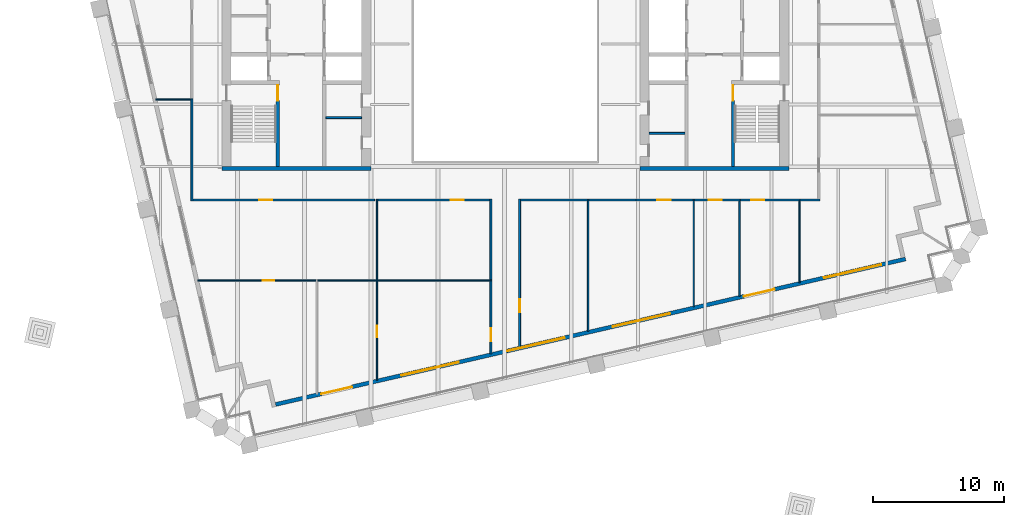
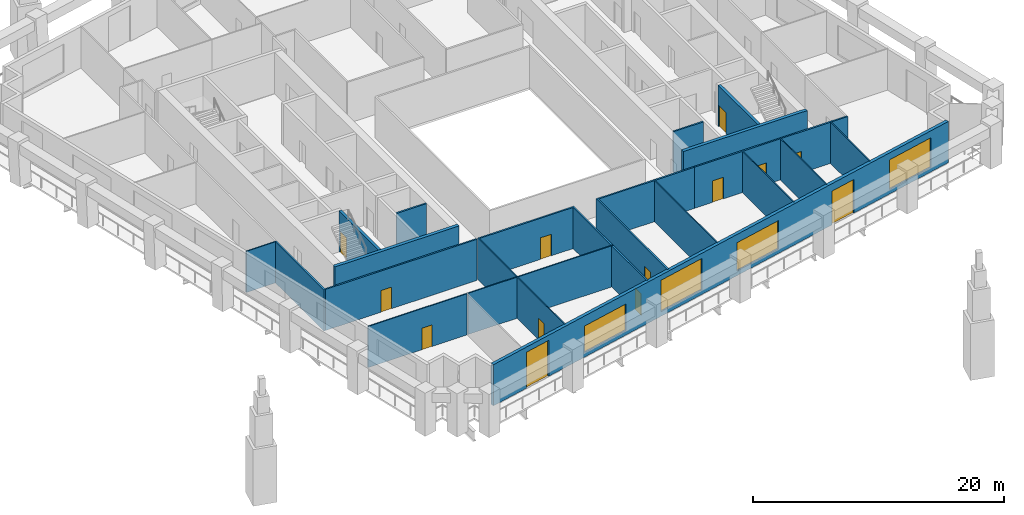
# One storey, part 4 of 10: 29 walls, 13 doors, 4 windows, 17 openings.
"""IFC4 building model written with IfcOpenShell, lengths in metres."""

import ifcopenshell
import ifcopenshell.guid

model = None  # the IFC model being written
_history = None  # IfcOwnerHistory: only IFC2X3 demands one
_inside = {}  # id of a spatial element -> (the spatial element, [elements in it])
_under = {}  # id of a project, library or spatial element -> (it, [spatial elements below it])
_declared = {}  # id of a project -> (the project, [libraries it declares])
_typed = {}  # id of a type object -> (the type object, [elements of that type])
_made_of = {}  # id of a material, layer set ... -> (it, [elements and type objects made of it])


def new_model(schema):
    """Start an empty IFC model of exactly this schema.

    Asked for "IFC4X3", IfcOpenShell would pick the latest addendum, in which some entities
    have other attributes; the version numbers below select the first issue.
    IFC2X3 requires an IfcOwnerHistory on every rooted entity: one is made here for all.
    """
    global model, _history
    if schema == "IFC4X3":
        model = ifcopenshell.file(schema_version=(4, 3, 0, 0))
    else:
        model = ifcopenshell.file(schema=schema)
    _inside.clear()
    _under.clear()
    _declared.clear()
    _typed.clear()
    _made_of.clear()
    _history = None
    if model.schema == "IFC2X3":
        org = make("IfcOrganization", Name="unknown")
        user = make(
            "IfcPersonAndOrganization",
            ThePerson=make("IfcPerson", FamilyName="unknown"),
            TheOrganization=org,
        )
        app = make(
            "IfcApplication",
            ApplicationDeveloper=org,
            Version="unknown",
            ApplicationFullName="unknown",
            ApplicationIdentifier="unknown",
        )
        _history = make(
            "IfcOwnerHistory",
            OwningUser=user,
            OwningApplication=app,
            ChangeAction="ADDED",
            CreationDate=0,
        )
    return model


def make(cls, **values):
    """One entity of the class cls with the attributes given. An attribute that is None is left unset."""
    return model.create_entity(
        cls, **{name: value for name, value in values.items() if value is not None}
    )


def rooted(cls, **values):
    """An entity with a GlobalId (a new one), such as an element, a storey or a relation."""
    return make(cls, GlobalId=ifcopenshell.guid.new(), OwnerHistory=_history, **values)


def si_unit(unit_type, name, prefix=None):
    """IfcSIUnit, for example si_unit("LENGTHUNIT", "METRE", prefix="MILLI")."""
    return make("IfcSIUnit", UnitType=unit_type, Prefix=prefix, Name=name)


def assignment(units):
    """IfcUnitAssignment: the units of a project."""
    return None if units is None else make("IfcUnitAssignment", Units=units)


def point(xyz):
    """IfcCartesianPoint."""
    return None if xyz is None else make("IfcCartesianPoint", Coordinates=xyz)


def direction(xyz):
    """IfcDirection."""
    return None if xyz is None else make("IfcDirection", DirectionRatios=xyz)


def frame(location, z_axis=None, x_axis=None):
    """IfcAxis2Placement3D, a coordinate frame: its origin and axes. An axis left out is left unset."""
    return make(
        "IfcAxis2Placement3D",
        Location=point(location),
        Axis=direction(z_axis),
        RefDirection=direction(x_axis),
    )


def frame_2d(location, x_axis=None):
    """IfcAxis2Placement2D, a coordinate frame in the plane: its origin and x axis."""
    return make(
        "IfcAxis2Placement2D", Location=point(location), RefDirection=direction(x_axis)
    )


def origin():
    """The frame at (0, 0, 0) with its axes left unset."""
    return frame((0.0, 0.0, 0.0))


def place(relative_to, where):
    """IfcLocalPlacement: puts the frame where relative to a parent placement (None: the world)."""
    return make(
        "IfcLocalPlacement", PlacementRelTo=relative_to, RelativePlacement=where
    )


def context(
    kind, dimensions, precision=None, world=None, true_north=None, identifier=None
):
    """IfcGeometricRepresentationContext, for example the 3D "Model" context."""
    return make(
        "IfcGeometricRepresentationContext",
        ContextIdentifier=identifier,
        ContextType=kind,
        CoordinateSpaceDimension=dimensions,
        Precision=precision,
        WorldCoordinateSystem=world,
        TrueNorth=true_north,
    )


def subcontext(parent, identifier, kind, view, scale=None):
    """IfcGeometricRepresentationSubContext, for example "Body" below "Model"."""
    return make(
        "IfcGeometricRepresentationSubContext",
        ContextIdentifier=identifier,
        ContextType=kind,
        ParentContext=parent,
        TargetScale=scale,
        TargetView=view,
    )


def project(units=None, contexts=None):
    """IfcProject with its units and contexts."""
    return rooted(
        "IfcProject",
        Name="project",
        RepresentationContexts=contexts,
        UnitsInContext=assignment(units),
    )


def spatial(cls, under=None, at=None, **own):
    """A site, building, storey or space (cls), placed at a placement, below another one or the project."""
    s = rooted(cls, ObjectPlacement=at, **own)
    if under is not None:
        _under.setdefault(under.id(), (under, []))[1].append(s)
    return s


def profile(cls, at=None, kind="AREA", **sizes):
    """A parametric profile (cls). Its sizes go by their IFC names, for example OverallWidth=200.0."""
    return make(cls, ProfileType=kind, Position=at, **sizes)


def rectangle(**sizes):
    """IfcRectangleProfileDef."""
    return profile("IfcRectangleProfileDef", **sizes)


def extrude(swept, where, along, depth):
    """IfcExtrudedAreaSolid: the profile swept, set in the frame where, extruded along a direction by depth."""
    return make(
        "IfcExtrudedAreaSolid",
        SweptArea=swept,
        Position=where,
        ExtrudedDirection=direction(along),
        Depth=depth,
    )


def shape(context_of_items, identifier, shape_type, items):
    """IfcShapeRepresentation: the items that make up one representation, for example the "Body"."""
    return make(
        "IfcShapeRepresentation",
        ContextOfItems=context_of_items,
        RepresentationIdentifier=identifier,
        RepresentationType=shape_type,
        Items=items,
    )


def material(Name=None, Category=None):
    """IfcMaterial."""
    return make("IfcMaterial", Name=Name, Category=Category)


def layer(
    of_material, thickness, ventilated=None, Name=None, Category=None, Priority=None
):
    """IfcMaterialLayer: one layer of a wall or slab, of a material (None: an air gap)."""
    return make(
        "IfcMaterialLayer",
        Material=of_material,
        LayerThickness=thickness,
        IsVentilated=ventilated,
        Name=Name,
        Category=Category,
        Priority=Priority,
    )


def layer_set(layers, Name=None):
    """IfcMaterialLayerSet."""
    return make("IfcMaterialLayerSet", MaterialLayers=layers, LayerSetName=Name)


def made_of(thing, what):
    """Note that an element or type object is made of a material, layer set ...; save() writes the relation."""
    if what is not None:
        _made_of.setdefault(what.id(), (what, []))[1].append(thing)
    return thing


def type_object(cls, material=None, **own):
    """A type object (cls), such as IfcWallType, which elements share."""
    return made_of(rooted(cls, **own), material)


def element(
    cls,
    number,
    at=None,
    inside=None,
    cuts=None,
    type_object=None,
    material=None,
    context=None,
    identifier="Body",
    shape_type=None,
    held_by="IfcProductDefinitionShape",
    body=None,
    shapes=None,
    **own,
):
    """One element of the class cls, such as IfcWall. Its Tag is "e" and its number.

    at: its placement. inside: the storey or other place that contains it. cuts: it is an
    opening in that element (IfcRelVoidsElement). A single representation is given by context,
    identifier, shape_type and body (its items); several are given by shapes. held_by: the class
    of the entity that holds the representations. save() writes the other relations.
    """
    e = rooted(cls, Tag="e%d" % number, ObjectPlacement=at, **own)
    if body is not None:
        shapes = [shape(context, identifier, shape_type, body)]
    if shapes is not None:
        e.Representation = make(held_by, Representations=shapes)
    if inside is not None:
        _inside.setdefault(inside.id(), (inside, []))[1].append(e)
    if cuts is not None:
        rooted(
            "IfcRelVoidsElement", RelatingBuildingElement=cuts, RelatedOpeningElement=e
        )
    if type_object is not None:
        _typed.setdefault(type_object.id(), (type_object, []))[1].append(e)
    return made_of(e, material)


def fill(opening, filler):
    """IfcRelFillsElement: the door or window that sits in an opening."""
    return rooted(
        "IfcRelFillsElement",
        RelatingOpeningElement=opening,
        RelatedBuildingElement=filler,
    )


def aggregate(whole, parts):
    """IfcRelAggregates: a whole, such as a stair, and the parts it consists of."""
    return rooted("IfcRelAggregates", RelatingObject=whole, RelatedObjects=parts)


def save(model, path):
    """Write the relations noted so far, then the file.

    IfcRelAggregates (storeys below a building ...), IfcRelContainedInSpatialStructure (elements
    in a storey), IfcRelDefinesByType, IfcRelAssociatesMaterial and IfcRelDeclares: one each for
    every whole, place, type object, material and project.
    """
    for whole, parts in _under.values():
        aggregate(whole, parts)
    for where, things in _inside.values():
        rooted(
            "IfcRelContainedInSpatialStructure",
            RelatedElements=things,
            RelatingStructure=where,
        )
    for kind, things in _typed.values():
        rooted("IfcRelDefinesByType", RelatedObjects=things, RelatingType=kind)
    for what, things in _made_of.values():
        rooted("IfcRelAssociatesMaterial", RelatedObjects=things, RelatingMaterial=what)
    for by, libraries in _declared.values():
        rooted("IfcRelDeclares", RelatingContext=by, RelatedDefinitions=libraries)
    model.write(path)


model = new_model("IFC4")

# Units and contexts
model_context = context("Model", 3, precision=1e-05, world=origin(), true_north=direction((0.0, 1.0)))
body_context = subcontext(model_context, "Body", "Model", "MODEL_VIEW")
ifc_project = project(units=[si_unit("LENGTHUNIT", "METRE"), si_unit("AREAUNIT", "SQUARE_METRE"), si_unit("VOLUMEUNIT", "CUBIC_METRE"), si_unit("PLANEANGLEUNIT", "RADIAN"), si_unit("MASSUNIT", "GRAM", prefix="KILO")], contexts=[model_context])

# Site, building, storey
site_placement = place(None, origin())
site = spatial("IfcSite", under=ifc_project, at=site_placement, CompositionType="ELEMENT")
building_placement = place(site_placement, origin())
building = spatial("IfcBuilding", under=site, at=building_placement, Name="Ogive Exchange Tower", CompositionType="ELEMENT")
storey_placement = place(building_placement, frame((0.0, 0.0, 171.60009765625)))
storey = spatial("IfcBuildingStorey", under=building, at=storey_placement, Name="L37", CompositionType="ELEMENT", Elevation=171.60009765625)

# Walls
ifc_material_1 = material(Name="Gypsum board partition")
ifc_layer_1 = layer(ifc_material_1, 0.14990234375)
ifc_layer_set_1 = layer_set([ifc_layer_1], Name="Core room partition 150 gypsum")
wall_type_1 = type_object("IfcWallType", Name="Core room partition 150 gypsum", PredefinedType="PARTITIONING", material=ifc_layer_set_1)
for number, where, z_axis, x_axis, name in (
    (1, (-13.75, 1.300048828125, 0.0), (0.0, 0.0, 1.0), (1.0, 0.0, 0.0), "W south room partition"),
    (2, (11.0, 0.10009765625, 0.0), (0.0, 0.0, 1.0), (1.0, 0.0, 0.0), "E south room partition"),
):
    element("IfcWall", number, at=place(storey_placement, frame(where, z_axis=z_axis, x_axis=x_axis)), inside=storey, type_object=wall_type_1, Name=name, PredefinedType="PARTITIONING", context=body_context, shape_type="SweptSolid", body=[
        extrude(rectangle(XDim=2.75, YDim=0.14990234375, at=frame_2d((1.375, 0.0))), origin(), (0.0, 0.0, 1.0), 4.0),
    ])
ifc_material_2 = material(Name="Fire partition EI 60 150")
ifc_layer_2 = layer(ifc_material_2, 0.14990234375)
ifc_layer_set_2 = layer_set([ifc_layer_2], Name="Fire partition EI 60 150")
wall_type_2 = type_object("IfcWallType", Name="Fire partition EI 60 150", PredefinedType="PARTITIONING", material=ifc_layer_set_2)
wall_1_placement = place(storey_placement, frame((-24.0, -5.074951171875, 0.0), z_axis=(0.0, 0.0, 1.0), x_axis=(0.0, 1.0, 0.0)))
element("IfcWall", 3, at=wall_1_placement, inside=storey, type_object=wall_type_2, Name="L37-PWL-001", PredefinedType="PARTITIONING", context=body_context, shape_type="SweptSolid", body=[
    extrude(rectangle(XDim=7.81494140625, YDim=0.14990234375, at=frame_2d((3.907470703125, 0.0))), origin(), (0.0, 0.0, 1.0), 4.0),
])

# Wall, opening, door
wall_2_placement = place(storey_placement, frame((-10.0, -5.0, 0.0), z_axis=(0.0, 0.0, 1.0), x_axis=(-1.0, 0.0, 0.0)))
wall_2 = element("IfcWall", 4, at=wall_2_placement, inside=storey, type_object=wall_type_2, Name="L37-PWL-018", PredefinedType="PARTITIONING", context=body_context, shape_type="SweptSolid", body=[
    extrude(rectangle(XDim=13.925048828125, YDim=0.14990234375, at=frame_2d((6.96240234375, 0.0))), origin(), (0.0, 0.0, 1.0), 4.0),
])
opening_1_placement = place(wall_2_placement, frame((7.85009765625, 0.0, 0.0)))
opening_1 = element("IfcOpeningElement", 5, at=opening_1_placement, cuts=wall_2, Name="Opening L37-I11", PredefinedType="OPENING", context=body_context, shape_type="SweptSolid", body=[
    extrude(rectangle(XDim=1.0, YDim=2.10009765625, at=frame_2d((0.5, 1.050048828125))), frame((0.0, 0.0849609375, 0.0), z_axis=(0.0, -1.0, 0.0), x_axis=(1.0, 0.0, 0.0)), (0.0, 0.0, 1.0), 0.169921875),
])
ifc_material_3 = material(Name="Fire door FD 30S 1000 x 2100")
door_type_1 = type_object("IfcDoorType", Name="Fire door FD 30S 1000 x 2100", OperationType="NOTDEFINED", PredefinedType="DOOR", material=ifc_material_3)
door_1_placement = place(opening_1_placement, origin())
door_1 = element("IfcDoor", 6, at=door_1_placement, inside=storey, type_object=door_type_1, Name="L37-IDR-011", ObjectType="DT3", OperationType="SINGLE_SWING_RIGHT", OverallHeight=2.10009765625, OverallWidth=1.0, PredefinedType="DOOR", context=body_context, shape_type="SweptSolid", body=[
    extrude(rectangle(XDim=1.0, YDim=2.10009765625, at=frame_2d((0.5, 1.050048828125))), frame((0.0, 0.02490234375, 0.0), z_axis=(0.0, -1.0, 0.0), x_axis=(1.0, 0.0, 0.0)), (0.0, 0.0, 1.0), 0.050048828125),
])
fill(opening_1, door_1)

wall_3_placement = place(storey_placement, frame((-1.10009765625, -16.778076171875, 0.0), z_axis=(0.0, 0.0, 1.0), x_axis=(0.0, 1.0, 0.0)))
wall_3 = element("IfcWall", 7, at=wall_3_placement, inside=storey, type_object=wall_type_2, Name="L37-PWL-031", PredefinedType="PARTITIONING", context=body_context, shape_type="SweptSolid", body=[
    extrude(rectangle(XDim=5.55810546875, YDim=0.14990234375, at=frame_2d((2.779052734375, 0.0))), origin(), (0.0, 0.0, 1.0), 4.0),
])
opening_2_placement = place(wall_3_placement, frame((0.9580078125, 0.0, 0.0)))
opening_2 = element("IfcOpeningElement", 8, at=opening_2_placement, cuts=wall_3, Name="Opening L37-I01", PredefinedType="OPENING", context=body_context, shape_type="SweptSolid", body=[
    extrude(rectangle(XDim=1.0, YDim=2.10009765625, at=frame_2d((0.5, 1.050048828125))), frame((0.0, 0.0849609375, 0.0), z_axis=(0.0, -1.0, 0.0), x_axis=(1.0, 0.0, 0.0)), (0.0, 0.0, 1.0), 0.169921875),
])
door_2_placement = place(opening_2_placement, origin())
door_2 = element("IfcDoor", 9, at=door_2_placement, inside=storey, type_object=door_type_1, Name="L37-IDR-001", ObjectType="DT3", OperationType="SINGLE_SWING_RIGHT", OverallHeight=2.10009765625, OverallWidth=1.0, PredefinedType="DOOR", context=body_context, shape_type="SweptSolid", body=[
    extrude(rectangle(XDim=1.0, YDim=2.10009765625, at=frame_2d((0.5, 1.050048828125))), frame((0.0, 0.02490234375, 0.0), z_axis=(0.0, -1.0, 0.0), x_axis=(1.0, 0.0, 0.0)), (0.0, 0.0, 1.0), 0.050048828125),
])
fill(opening_2, door_2)

# Wall
wall_4_placement = place(storey_placement, frame((-1.10009765625, -11.1201171875, 0.0), z_axis=(0.0, 0.0, 1.0), x_axis=(0.0, 1.0, 0.0)))
element("IfcWall", 10, at=wall_4_placement, inside=storey, type_object=wall_type_2, Name="L37-PWL-032", PredefinedType="PARTITIONING", context=body_context, shape_type="SweptSolid", body=[
    extrude(rectangle(XDim=6.195068359375, YDim=0.14990234375, at=frame_2d((3.09765625, 0.0))), origin(), (0.0, 0.0, 1.0), 4.0),
])

# Wall, opening, door
wall_5_placement = place(storey_placement, frame((-1.175048828125, -5.0, 0.0), z_axis=(0.0, 0.0, 1.0), x_axis=(-1.0, 0.0, 0.0)))
wall_5 = element("IfcWall", 11, at=wall_5_placement, inside=storey, type_object=wall_type_2, Name="L37-PWL-033", PredefinedType="PARTITIONING", context=body_context, shape_type="SweptSolid", body=[
    extrude(rectangle(XDim=8.60498046875, YDim=0.14990234375, at=frame_2d((4.302490234375, 0.0))), origin(), (0.0, 0.0, 1.0), 4.0),
])
opening_3_placement = place(wall_5_placement, frame((2.0048828125, 0.0, 0.0)))
opening_3 = element("IfcOpeningElement", 12, at=opening_3_placement, cuts=wall_5, Name="Opening L37-I02", PredefinedType="OPENING", context=body_context, shape_type="SweptSolid", body=[
    extrude(rectangle(XDim=1.0, YDim=2.10009765625, at=frame_2d((0.5, 1.050048828125))), frame((0.0, 0.0849609375, 0.0), z_axis=(0.0, -1.0, 0.0), x_axis=(1.0, 0.0, 0.0)), (0.0, 0.0, 1.0), 0.169921875),
])
door_3_placement = place(opening_3_placement, origin())
door_3 = element("IfcDoor", 13, at=door_3_placement, inside=storey, type_object=door_type_1, Name="L37-IDR-002", ObjectType="DT3", OperationType="SINGLE_SWING_RIGHT", OverallHeight=2.10009765625, OverallWidth=1.0, PredefinedType="DOOR", context=body_context, shape_type="SweptSolid", body=[
    extrude(rectangle(XDim=1.0, YDim=2.10009765625, at=frame_2d((0.5, 1.050048828125))), frame((0.0, 0.02490234375, 0.0), z_axis=(0.0, -1.0, 0.0), x_axis=(1.0, 0.0, 0.0)), (0.0, 0.0, 1.0), 0.050048828125),
])
fill(opening_3, door_3)

wall_6_placement = place(storey_placement, frame((1.10009765625, -4.925048828125, 0.0), z_axis=(0.0, 0.0, 1.0), x_axis=(0.0, -1.0, 0.0)))
wall_6 = element("IfcWall", 14, at=wall_6_placement, inside=storey, type_object=wall_type_2, Name="L37-PWL-036", PredefinedType="PARTITIONING", context=body_context, shape_type="SweptSolid", body=[
    extrude(rectangle(XDim=11.344970703125, YDim=0.14990234375, at=frame_2d((5.67236328125, 0.0))), origin(), (0.0, 0.0, 1.0), 4.0),
])
opening_4_placement = place(wall_6_placement, frame((7.675048828125, 0.0, 0.0)))
opening_4 = element("IfcOpeningElement", 15, at=opening_4_placement, cuts=wall_6, Name="Opening L37-I16", PredefinedType="OPENING", context=body_context, shape_type="SweptSolid", body=[
    extrude(rectangle(XDim=1.0, YDim=2.10009765625, at=frame_2d((0.5, 1.050048828125))), frame((0.0, 0.0849609375, 0.0), z_axis=(0.0, -1.0, 0.0), x_axis=(1.0, 0.0, 0.0)), (0.0, 0.0, 1.0), 0.169921875),
])
door_4_placement = place(opening_4_placement, origin())
door_4 = element("IfcDoor", 16, at=door_4_placement, inside=storey, type_object=door_type_1, Name="L37-IDR-016", ObjectType="DT3", OperationType="SINGLE_SWING_LEFT", OverallHeight=2.10009765625, OverallWidth=1.0, PredefinedType="DOOR", context=body_context, shape_type="SweptSolid", body=[
    extrude(rectangle(XDim=1.0, YDim=2.10009765625, at=frame_2d((0.5, 1.050048828125))), frame((0.0, 0.02490234375, 0.0), z_axis=(0.0, -1.0, 0.0), x_axis=(1.0, 0.0, 0.0)), (0.0, 0.0, 1.0), 0.050048828125),
])
fill(opening_4, door_4)

# Walls
wall_7_placement = place(storey_placement, frame((6.2900390625, -5.0, 0.0), z_axis=(0.0, 0.0, 1.0), x_axis=(-1.0, 0.0, 0.0)))
element("IfcWall", 17, at=wall_7_placement, inside=storey, type_object=wall_type_2, Name="L37-PWL-044", PredefinedType="PARTITIONING", context=body_context, shape_type="SweptSolid", body=[
    extrude(rectangle(XDim=5.114990234375, YDim=0.14990234375, at=frame_2d((2.5576171875, 0.0))), origin(), (0.0, 0.0, 1.0), 4.0),
])
wall_8_placement = place(storey_placement, frame((10.0, -5.0, 0.0), z_axis=(0.0, 0.0, 1.0), x_axis=(-1.0, 0.0, 0.0)))
element("IfcWall", 18, at=wall_8_placement, inside=storey, type_object=wall_type_2, Name="L37-PWL-051", PredefinedType="PARTITIONING", context=body_context, shape_type="SweptSolid", body=[
    extrude(rectangle(XDim=3.610107421875, YDim=0.14990234375, at=frame_2d((1.80517578125, 0.0))), origin(), (0.0, 0.0, 1.0), 4.0),
])

# Wall, opening, door
wall_9_placement = place(storey_placement, frame((14.3798828125, -5.0, 0.0), z_axis=(0.0, 0.0, 1.0), x_axis=(-1.0, 0.0, 0.0)))
wall_9 = element("IfcWall", 19, at=wall_9_placement, inside=storey, type_object=wall_type_2, Name="L37-PWL-057", PredefinedType="PARTITIONING", context=body_context, shape_type="SweptSolid", body=[
    extrude(rectangle(XDim=4.3798828125, YDim=0.14990234375, at=frame_2d((2.18994140625, 0.0))), origin(), (0.0, 0.0, 1.0), 4.0),
])
opening_5_placement = place(wall_9_placement, frame((1.72998046875, 0.0, 0.0)))
opening_5 = element("IfcOpeningElement", 20, at=opening_5_placement, cuts=wall_9, Name="Opening L37-I15", PredefinedType="OPENING", context=body_context, shape_type="SweptSolid", body=[
    extrude(rectangle(XDim=1.0, YDim=2.10009765625, at=frame_2d((0.5, 1.050048828125))), frame((0.0, 0.0849609375, 0.0), z_axis=(0.0, -1.0, 0.0), x_axis=(1.0, 0.0, 0.0)), (0.0, 0.0, 1.0), 0.169921875),
])
door_5_placement = place(opening_5_placement, origin())
door_5 = element("IfcDoor", 21, at=door_5_placement, inside=storey, type_object=door_type_1, Name="L37-IDR-015", ObjectType="DT3", OperationType="SINGLE_SWING_RIGHT", OverallHeight=2.10009765625, OverallWidth=1.0, PredefinedType="DOOR", context=body_context, shape_type="SweptSolid", body=[
    extrude(rectangle(XDim=1.0, YDim=2.10009765625, at=frame_2d((0.5, 1.050048828125))), frame((0.0, 0.02490234375, 0.0), z_axis=(0.0, -1.0, 0.0), x_axis=(1.0, 0.0, 0.0)), (0.0, 0.0, 1.0), 0.050048828125),
])
fill(opening_5, door_5)

wall_10_placement = place(storey_placement, frame((17.969970703125, -5.0, 0.0), z_axis=(0.0, 0.0, 1.0), x_axis=(-1.0, 0.0, 0.0)))
wall_10 = element("IfcWall", 22, at=wall_10_placement, inside=storey, type_object=wall_type_2, Name="L37-PWL-058", PredefinedType="PARTITIONING", context=body_context, shape_type="SweptSolid", body=[
    extrude(rectangle(XDim=3.489990234375, YDim=0.14990234375, at=frame_2d((1.7451171875, 0.0))), origin(), (0.0, 0.0, 1.0), 4.0),
])
opening_6_placement = place(wall_10_placement, frame((1.389892578125, 0.0, 0.0)))
opening_6 = element("IfcOpeningElement", 23, at=opening_6_placement, cuts=wall_10, Name="Opening L37-I14", PredefinedType="OPENING", context=body_context, shape_type="SweptSolid", body=[
    extrude(rectangle(XDim=1.0, YDim=2.10009765625, at=frame_2d((0.5, 1.050048828125))), frame((0.0, 0.0849609375, 0.0), z_axis=(0.0, -1.0, 0.0), x_axis=(1.0, 0.0, 0.0)), (0.0, 0.0, 1.0), 0.169921875),
])
door_6_placement = place(opening_6_placement, origin())
door_6 = element("IfcDoor", 24, at=door_6_placement, inside=storey, type_object=door_type_1, Name="L37-IDR-014", ObjectType="DT3", OperationType="SINGLE_SWING_LEFT", OverallHeight=2.10009765625, OverallWidth=1.0, PredefinedType="DOOR", context=body_context, shape_type="SweptSolid", body=[
    extrude(rectangle(XDim=1.0, YDim=2.10009765625, at=frame_2d((0.5, 1.050048828125))), frame((0.0, 0.02490234375, 0.0), z_axis=(0.0, -1.0, 0.0), x_axis=(1.0, 0.0, 0.0)), (0.0, 0.0, 1.0), 0.050048828125),
])
fill(opening_6, door_6)

wall_11_placement = place(storey_placement, frame((22.570068359375, -5.0, 0.0), z_axis=(0.0, 0.0, 1.0), x_axis=(-1.0, 0.0, 0.0)))
wall_11 = element("IfcWall", 25, at=wall_11_placement, inside=storey, type_object=wall_type_2, Name="L37-PWL-070", PredefinedType="PARTITIONING", context=body_context, shape_type="SweptSolid", body=[
    extrude(rectangle(XDim=4.650146484375, YDim=0.14990234375, at=frame_2d((2.3251953125, 0.0))), origin(), (0.0, 0.0, 1.0), 4.0),
])
opening_7_placement = place(wall_11_placement, frame((2.75, 0.0, 0.0)))
opening_7 = element("IfcOpeningElement", 26, at=opening_7_placement, cuts=wall_11, Name="Opening L37-I18", PredefinedType="OPENING", context=body_context, shape_type="SweptSolid", body=[
    extrude(rectangle(XDim=1.0, YDim=2.10009765625, at=frame_2d((0.5, 1.050048828125))), frame((0.0, 0.0849609375, 0.0), z_axis=(0.0, -1.0, 0.0), x_axis=(1.0, 0.0, 0.0)), (0.0, 0.0, 1.0), 0.169921875),
])
door_7_placement = place(opening_7_placement, origin())
door_7 = element("IfcDoor", 27, at=door_7_placement, inside=storey, type_object=door_type_1, Name="L37-IDR-018", ObjectType="DT3", OperationType="SINGLE_SWING_LEFT", OverallHeight=2.10009765625, OverallWidth=1.0, PredefinedType="DOOR", context=body_context, shape_type="SweptSolid", body=[
    extrude(rectangle(XDim=1.0, YDim=2.10009765625, at=frame_2d((0.5, 1.050048828125))), frame((0.0, 0.02490234375, 0.0), z_axis=(0.0, -1.0, 0.0), x_axis=(1.0, 0.0, 0.0)), (0.0, 0.0, 1.0), 0.050048828125),
])
fill(opening_7, door_7)

# Wall
wall_12_placement = place(storey_placement, frame((24.074951171875, -5.0, 0.0), z_axis=(0.0, 0.0, 1.0), x_axis=(-1.0, 0.0, 0.0)))
element("IfcWall", 28, at=wall_12_placement, inside=storey, type_object=wall_type_2, Name="L37-PWL-074", PredefinedType="PARTITIONING", context=body_context, shape_type="SweptSolid", body=[
    extrude(rectangle(XDim=1.5048828125, YDim=0.14990234375, at=frame_2d((0.75244140625, 0.0))), origin(), (0.0, 0.0, 1.0), 4.0),
])

# Wall, openings, doors, windows
ifc_material_4 = material(Name="Precast concrete C40/50", Category="concrete")
ifc_layer_3 = layer(ifc_material_4, 0.300048828125)
ifc_layer_set_3 = layer_set([ifc_layer_3], Name="Limestone-faced wall 300")
wall_type_3 = type_object("IfcWallType", Name="Limestone-faced wall 300", PredefinedType="STANDARD", material=ifc_layer_set_3)
wall_13_placement = place(storey_placement, frame((-17.592041015625, -20.6572265625, 0.0), z_axis=(0.0, 0.0, 1.0), x_axis=(0.974370243697, 0.224950279389, 0.0)))
wall_13 = element("IfcWall", 29, at=wall_13_placement, inside=storey, type_object=wall_type_3, Name="External wall S1", PredefinedType="STANDARD", context=body_context, shape_type="SweptSolid", body=[
    extrude(rectangle(XDim=49.499755859375, YDim=0.300048828125, at=frame_2d((24.75, 0.0))), origin(), (0.0, 0.0, 1.0), 4.0),
])
opening_8_placement = place(wall_13_placement, frame((3.60009765625, 0.0, 0.0)))
opening_8 = element("IfcOpeningElement", 30, at=opening_8_placement, cuts=wall_13, Name="Opening D1", PredefinedType="OPENING", context=body_context, shape_type="SweptSolid", body=[
    extrude(rectangle(XDim=2.39990234375, YDim=3.5, at=frame_2d((1.199951171875, 1.75))), frame((0.0, 0.159912109375, 0.0), z_axis=(0.0, -1.0, 0.0), x_axis=(1.0, 0.0, 0.0)), (0.0, 0.0, 1.0), 0.320068359375),
])
opening_9_placement = place(wall_13_placement, frame((9.89990234375, 0.0, 0.449951171875)))
opening_9 = element("IfcOpeningElement", 31, at=opening_9_placement, cuts=wall_13, Name="Opening W1M", PredefinedType="OPENING", context=body_context, shape_type="SweptSolid", body=[
    extrude(rectangle(XDim=4.5, YDim=2.574951171875, at=frame_2d((2.25, 1.28759765625))), frame((0.0, 0.159912109375, 0.0), z_axis=(0.0, -1.0, 0.0), x_axis=(1.0, 0.0, 0.0)), (0.0, 0.0, 1.0), 0.320068359375),
])
opening_10_placement = place(wall_13_placement, frame((18.199951171875, 0.0, 0.449951171875)))
opening_10 = element("IfcOpeningElement", 32, at=opening_10_placement, cuts=wall_13, Name="Opening W1", PredefinedType="OPENING", context=body_context, shape_type="SweptSolid", body=[
    extrude(rectangle(XDim=4.5, YDim=3.050048828125, at=frame_2d((2.25, 1.52490234375))), frame((0.0, 0.159912109375, 0.0), z_axis=(0.0, -1.0, 0.0), x_axis=(1.0, 0.0, 0.0)), (0.0, 0.0, 1.0), 0.320068359375),
])
opening_11_placement = place(wall_13_placement, frame((26.5, 0.0, 0.449951171875)))
opening_11 = element("IfcOpeningElement", 33, at=opening_11_placement, cuts=wall_13, Name="Opening W1H", PredefinedType="OPENING", context=body_context, shape_type="SweptSolid", body=[
    extrude(rectangle(XDim=4.5, YDim=2.75, at=frame_2d((2.25, 1.375))), frame((0.0, 0.159912109375, 0.0), z_axis=(0.0, -1.0, 0.0), x_axis=(1.0, 0.0, 0.0)), (0.0, 0.0, 1.0), 0.320068359375),
])
opening_12_placement = place(wall_13_placement, frame((36.800048828125, 0.0, 0.0)))
opening_12 = element("IfcOpeningElement", 34, at=opening_12_placement, cuts=wall_13, Name="Opening D1E", PredefinedType="OPENING", context=body_context, shape_type="SweptSolid", body=[
    extrude(rectangle(XDim=2.39990234375, YDim=3.27490234375, at=frame_2d((1.199951171875, 1.637451171875))), frame((0.0, 0.159912109375, 0.0), z_axis=(0.0, -1.0, 0.0), x_axis=(1.0, 0.0, 0.0)), (0.0, 0.0, 1.0), 0.320068359375),
])
opening_13_placement = place(wall_13_placement, frame((43.10009765625, 0.0, 0.449951171875)))
opening_13 = element("IfcOpeningElement", 35, at=opening_13_placement, cuts=wall_13, Name="Opening W1D", PredefinedType="OPENING", context=body_context, shape_type="SweptSolid", body=[
    extrude(rectangle(XDim=4.5, YDim=2.875, at=frame_2d((2.25, 1.4375))), frame((0.0, 0.159912109375, 0.0), z_axis=(0.0, -1.0, 0.0), x_axis=(1.0, 0.0, 0.0)), (0.0, 0.0, 1.0), 0.320068359375),
])
ifc_material_5 = material(Name="Clear glass in bronze frame", Category="glass")
door_type_2 = type_object("IfcDoorType", Name="Sliding loggia door 2400 x 3275", OperationType="DOUBLE_DOOR_SLIDING", PredefinedType="DOOR", material=ifc_material_5)
door_8_placement = place(opening_12_placement, origin())
door_8 = element("IfcDoor", 36, at=door_8_placement, inside=storey, type_object=door_type_2, Name="Loggia door S04", OperationType="DOUBLE_DOOR_SLIDING", OverallHeight=3.27490234375, OverallWidth=2.39990234375, PredefinedType="DOOR", context=body_context, shape_type="SweptSolid", body=[
    extrude(rectangle(XDim=2.39990234375, YDim=3.27490234375, at=frame_2d((1.199951171875, 1.637451171875))), frame((0.0, 0.02490234375, 0.0), z_axis=(0.0, -1.0, 0.0), x_axis=(1.0, 0.0, 0.0)), (0.0, 0.0, 1.0), 0.050048828125),
])
fill(opening_12, door_8)
door_type_3 = type_object("IfcDoorType", Name="Sliding loggia door 2400 x 3500", OperationType="DOUBLE_DOOR_SLIDING", PredefinedType="DOOR", material=ifc_material_5)
door_9_placement = place(opening_8_placement, origin())
door_9 = element("IfcDoor", 37, at=door_9_placement, inside=storey, type_object=door_type_3, Name="Loggia door S00", OperationType="DOUBLE_DOOR_SLIDING", OverallHeight=3.5, OverallWidth=2.39990234375, PredefinedType="DOOR", context=body_context, shape_type="SweptSolid", body=[
    extrude(rectangle(XDim=2.39990234375, YDim=3.5, at=frame_2d((1.199951171875, 1.75))), frame((0.0, 0.02490234375, 0.0), z_axis=(0.0, -1.0, 0.0), x_axis=(1.0, 0.0, 0.0)), (0.0, 0.0, 1.0), 0.050048828125),
])
fill(opening_8, door_9)
window_type_1 = type_object("IfcWindowType", Name="Twin lancet window 4500 x 2575", PartitioningType="DOUBLE_PANEL_VERTICAL", PredefinedType="WINDOW", material=ifc_material_5)
window_1_placement = place(opening_9_placement, origin())
window_1 = element("IfcWindow", 38, at=window_1_placement, inside=storey, type_object=window_type_1, Name="Window S01", OverallHeight=2.574951171875, OverallWidth=4.5, PartitioningType="DOUBLE_PANEL_VERTICAL", PredefinedType="WINDOW", context=body_context, shape_type="SweptSolid", body=[
    extrude(rectangle(XDim=4.5, YDim=2.574951171875, at=frame_2d((2.25, 1.28759765625))), frame((0.0, 0.030029296875, 0.0), z_axis=(0.0, -1.0, 0.0), x_axis=(1.0, 0.0, 0.0)), (0.0, 0.0, 1.0), 0.06005859375),
])
fill(opening_9, window_1)
window_type_2 = type_object("IfcWindowType", Name="Twin lancet window 4500 x 2750", PartitioningType="DOUBLE_PANEL_VERTICAL", PredefinedType="WINDOW", material=ifc_material_5)
window_2_placement = place(opening_11_placement, origin())
window_2 = element("IfcWindow", 39, at=window_2_placement, inside=storey, type_object=window_type_2, Name="Window S03", OverallHeight=2.75, OverallWidth=4.5, PartitioningType="DOUBLE_PANEL_VERTICAL", PredefinedType="WINDOW", context=body_context, shape_type="SweptSolid", body=[
    extrude(rectangle(XDim=4.5, YDim=2.75, at=frame_2d((2.25, 1.375))), frame((0.0, 0.030029296875, 0.0), z_axis=(0.0, -1.0, 0.0), x_axis=(1.0, 0.0, 0.0)), (0.0, 0.0, 1.0), 0.06005859375),
])
fill(opening_11, window_2)
window_type_3 = type_object("IfcWindowType", Name="Twin lancet window 4500 x 2875", PartitioningType="DOUBLE_PANEL_VERTICAL", PredefinedType="WINDOW", material=ifc_material_5)
window_3_placement = place(opening_13_placement, origin())
window_3 = element("IfcWindow", 40, at=window_3_placement, inside=storey, type_object=window_type_3, Name="Window S05", OverallHeight=2.875, OverallWidth=4.5, PartitioningType="DOUBLE_PANEL_VERTICAL", PredefinedType="WINDOW", context=body_context, shape_type="SweptSolid", body=[
    extrude(rectangle(XDim=4.5, YDim=2.875, at=frame_2d((2.25, 1.4375))), frame((0.0, 0.030029296875, 0.0), z_axis=(0.0, -1.0, 0.0), x_axis=(1.0, 0.0, 0.0)), (0.0, 0.0, 1.0), 0.06005859375),
])
fill(opening_13, window_3)
window_type_4 = type_object("IfcWindowType", Name="Twin lancet window 4500 x 3050", PartitioningType="DOUBLE_PANEL_VERTICAL", PredefinedType="WINDOW", material=ifc_material_5)
window_4_placement = place(opening_10_placement, origin())
window_4 = element("IfcWindow", 41, at=window_4_placement, inside=storey, type_object=window_type_4, Name="Window S02", OverallHeight=3.050048828125, OverallWidth=4.5, PartitioningType="DOUBLE_PANEL_VERTICAL", PredefinedType="WINDOW", context=body_context, shape_type="SweptSolid", body=[
    extrude(rectangle(XDim=4.5, YDim=3.050048828125, at=frame_2d((2.25, 1.52490234375))), frame((0.0, 0.030029296875, 0.0), z_axis=(0.0, -1.0, 0.0), x_axis=(1.0, 0.0, 0.0)), (0.0, 0.0, 1.0), 0.06005859375),
])
fill(opening_10, window_4)

# Wall
ifc_material_6 = material(Name="Partition 100 gypsum")
ifc_layer_4 = layer(ifc_material_6, 0.10009765625)
ifc_layer_set_4 = layer_set([ifc_layer_4], Name="Partition 100 gypsum")
wall_type_4 = type_object("IfcWallType", Name="Partition 100 gypsum", PredefinedType="PARTITIONING", material=ifc_layer_set_4)
wall_14_placement = place(storey_placement, frame((-24.074951171875, 2.68994140625, 0.0), z_axis=(0.0, 0.0, 1.0), x_axis=(-1.0, 0.0, 0.0)))
element("IfcWall", 42, at=wall_14_placement, inside=storey, type_object=wall_type_4, Name="L37-PWL-002", PredefinedType="PARTITIONING", context=body_context, shape_type="SweptSolid", body=[
    extrude(rectangle(XDim=2.68505859375, YDim=0.10009765625, at=frame_2d((1.342529296875, 0.0))), origin(), (0.0, 0.0, 1.0), 4.0),
])

# Wall, opening, door
wall_15_placement = place(storey_placement, frame((-14.47998046875, -11.169921875, 0.0), z_axis=(0.0, 0.0, 1.0), x_axis=(-1.0, 0.0, 0.0)))
wall_15 = element("IfcWall", 43, at=wall_15_placement, inside=storey, type_object=wall_type_4, Name="L37-PWL-015", PredefinedType="PARTITIONING", context=body_context, shape_type="SweptSolid", body=[
    extrude(rectangle(XDim=9.080078125, YDim=0.10009765625, at=frame_2d((4.5400390625, 0.0))), origin(), (0.0, 0.0, 1.0), 4.0),
])
opening_14_placement = place(wall_15_placement, frame((3.2099609375, 0.0, 0.0)))
opening_14 = element("IfcOpeningElement", 44, at=opening_14_placement, cuts=wall_15, Name="Opening L37-I13", PredefinedType="OPENING", context=body_context, shape_type="SweptSolid", body=[
    extrude(rectangle(XDim=0.89990234375, YDim=2.10009765625, at=frame_2d((0.449951171875, 1.050048828125))), frame((0.0, 0.06005859375, 0.0), z_axis=(0.0, -1.0, 0.0), x_axis=(1.0, 0.0, 0.0)), (0.0, 0.0, 1.0), 0.1201171875),
])
ifc_material_7 = material(Name="Door 900 x 2100")
door_type_4 = type_object("IfcDoorType", Name="Door 900 x 2100", OperationType="NOTDEFINED", PredefinedType="DOOR", material=ifc_material_7)
door_10_placement = place(opening_14_placement, origin())
door_10 = element("IfcDoor", 45, at=door_10_placement, inside=storey, type_object=door_type_4, Name="L37-IDR-013", ObjectType="DT1", OperationType="SINGLE_SWING_RIGHT", OverallHeight=2.10009765625, OverallWidth=0.89990234375, PredefinedType="DOOR", context=body_context, shape_type="SweptSolid", body=[
    extrude(rectangle(XDim=0.89990234375, YDim=2.10009765625, at=frame_2d((0.449951171875, 1.050048828125))), frame((0.0, 0.02490234375, 0.0), z_axis=(0.0, -1.0, 0.0), x_axis=(1.0, 0.0, 0.0)), (0.0, 0.0, 1.0), 0.050048828125),
])
fill(opening_14, door_10)

wall_16_placement = place(storey_placement, frame((-9.830078125, -18.7939453125, 0.0), z_axis=(0.0, 0.0, 1.0), x_axis=(0.0, 1.0, 0.0)))
wall_16 = element("IfcWall", 46, at=wall_16_placement, inside=storey, type_object=wall_type_4, Name="L37-PWL-020", PredefinedType="PARTITIONING", context=body_context, shape_type="SweptSolid", body=[
    extrude(rectangle(XDim=7.673828125, YDim=0.10009765625, at=frame_2d((3.8369140625, 0.0))), origin(), (0.0, 0.0, 1.0), 4.0),
])
opening_15_placement = place(wall_16_placement, frame((3.27392578125, 0.0, 0.0)))
opening_15 = element("IfcOpeningElement", 47, at=opening_15_placement, cuts=wall_16, Name="Opening L37-I12", PredefinedType="OPENING", context=body_context, shape_type="SweptSolid", body=[
    extrude(rectangle(XDim=0.89990234375, YDim=2.10009765625, at=frame_2d((0.449951171875, 1.050048828125))), frame((0.0, 0.06005859375, 0.0), z_axis=(0.0, -1.0, 0.0), x_axis=(1.0, 0.0, 0.0)), (0.0, 0.0, 1.0), 0.1201171875),
])
door_11_placement = place(opening_15_placement, origin())
door_11 = element("IfcDoor", 48, at=door_11_placement, inside=storey, type_object=door_type_4, Name="L37-IDR-012", ObjectType="DT1", OperationType="SINGLE_SWING_RIGHT", OverallHeight=2.10009765625, OverallWidth=0.89990234375, PredefinedType="DOOR", context=body_context, shape_type="SweptSolid", body=[
    extrude(rectangle(XDim=0.89990234375, YDim=2.10009765625, at=frame_2d((0.449951171875, 1.050048828125))), frame((0.0, 0.02490234375, 0.0), z_axis=(0.0, -1.0, 0.0), x_axis=(1.0, 0.0, 0.0)), (0.0, 0.0, 1.0), 0.050048828125),
])
fill(opening_15, door_11)

# Walls
wall_17_placement = place(storey_placement, frame((-9.8798828125, -11.169921875, 0.0), z_axis=(0.0, 0.0, 1.0), x_axis=(-1.0, 0.0, 0.0)))
element("IfcWall", 49, at=wall_17_placement, inside=storey, type_object=wall_type_4, Name="L37-PWL-021", PredefinedType="PARTITIONING", context=body_context, shape_type="SweptSolid", body=[
    extrude(rectangle(XDim=4.5, YDim=0.10009765625, at=frame_2d((2.25, 0.0))), origin(), (0.0, 0.0, 1.0), 4.0),
])
wall_18_placement = place(storey_placement, frame((-9.830078125, -11.1201171875, 0.0), z_axis=(0.0, 0.0, 1.0), x_axis=(0.0, 1.0, 0.0)))
element("IfcWall", 50, at=wall_18_placement, inside=storey, type_object=wall_type_4, Name="L37-PWL-022", PredefinedType="PARTITIONING", context=body_context, shape_type="SweptSolid", body=[
    extrude(rectangle(XDim=6.195068359375, YDim=0.10009765625, at=frame_2d((3.09765625, 0.0))), origin(), (0.0, 0.0, 1.0), 4.0),
])
wall_19_placement = place(storey_placement, frame((-9.780029296875, -11.169921875, 0.0), z_axis=(0.0, 0.0, 1.0), x_axis=(1.0, 0.0, 0.0)))
element("IfcWall", 51, at=wall_19_placement, inside=storey, type_object=wall_type_4, Name="L37-PWL-023", PredefinedType="PARTITIONING", context=body_context, shape_type="SweptSolid", body=[
    extrude(rectangle(XDim=8.755126953125, YDim=0.10009765625, at=frame_2d((4.37744140625, 0.0))), origin(), (0.0, 0.0, 1.0), 4.0),
])
wall_20_placement = place(storey_placement, frame((6.340087890625, -15.06103515625, 0.0), z_axis=(0.0, 0.0, 1.0), x_axis=(0.0, 1.0, 0.0)))
element("IfcWall", 52, at=wall_20_placement, inside=storey, type_object=wall_type_4, Name="L37-PWL-043", PredefinedType="PARTITIONING", context=body_context, shape_type="SweptSolid", body=[
    extrude(rectangle(XDim=10.135986328125, YDim=0.10009765625, at=frame_2d((5.06787109375, 0.0))), origin(), (0.0, 0.0, 1.0), 4.0),
])
wall_21_placement = place(storey_placement, frame((14.429931640625, -13.193115234375, 0.0), z_axis=(0.0, 0.0, 1.0), x_axis=(0.0, 1.0, 0.0)))
element("IfcWall", 53, at=wall_21_placement, inside=storey, type_object=wall_type_4, Name="L37-PWL-056", PredefinedType="PARTITIONING", context=body_context, shape_type="SweptSolid", body=[
    extrude(rectangle(XDim=8.26806640625, YDim=0.10009765625, at=frame_2d((4.134033203125, 0.0))), origin(), (0.0, 0.0, 1.0), 4.0),
])
wall_22_placement = place(storey_placement, frame((17.919921875, -5.074951171875, 0.0), z_axis=(0.0, 0.0, 1.0), x_axis=(0.0, -1.0, 0.0)))
element("IfcWall", 54, at=wall_22_placement, inside=storey, type_object=wall_type_4, Name="L37-PWL-059", PredefinedType="PARTITIONING", context=body_context, shape_type="SweptSolid", body=[
    extrude(rectangle(XDim=7.31201171875, YDim=0.10009765625, at=frame_2d((3.656005859375, 0.0))), origin(), (0.0, 0.0, 1.0), 4.0),
])
wall_23_placement = place(storey_placement, frame((22.52001953125, -5.074951171875, 0.0), z_axis=(0.0, 0.0, 1.0), x_axis=(0.0, -1.0, 0.0)))
element("IfcWall", 55, at=wall_23_placement, inside=storey, type_object=wall_type_4, Name="L37-PWL-071", PredefinedType="PARTITIONING", context=body_context, shape_type="SweptSolid", body=[
    extrude(rectangle(XDim=6.25, YDim=0.10009765625, at=frame_2d((3.125, 0.0))), origin(), (0.0, 0.0, 1.0), 4.0),
])

# Wall, opening, door
ifc_material_8 = material(Name="Concrete C70/85", Category="concrete")
ifc_layer_5 = layer(ifc_material_8, 0.25)
ifc_layer_set_5 = layer_set([ifc_layer_5], Name="RC core wall 250 C70/85")
wall_type_5 = type_object("IfcWallType", Name="RC core wall 250 C70/85", PredefinedType="SHEAR", material=ifc_layer_set_5)
wall_24_placement = place(storey_placement, frame((-17.425048828125, -2.449951171875, 0.0), z_axis=(0.0, 0.0, 1.0), x_axis=(0.0, 1.0, 0.0)))
wall_24 = element("IfcWall", 56, at=wall_24_placement, inside=storey, type_object=wall_type_5, Name="W stair S front wall", PredefinedType="SHEAR", context=body_context, shape_type="SweptSolid", body=[
    extrude(rectangle(XDim=6.300048828125, YDim=0.25, at=frame_2d((3.14990234375, 0.0))), origin(), (0.0, 0.0, 1.0), 4.0),
])
opening_16_placement = place(wall_24_placement, frame((5.050048828125, 0.0, 0.0)))
opening_16 = element("IfcOpeningElement", 57, at=opening_16_placement, cuts=wall_24, Name="Opening L37-C13", PredefinedType="OPENING", context=body_context, shape_type="SweptSolid", body=[
    extrude(rectangle(XDim=1.199951171875, YDim=2.10009765625, at=frame_2d((0.60009765625, 1.050048828125))), frame((0.0, 0.135009765625, 0.0), z_axis=(0.0, -1.0, 0.0), x_axis=(1.0, 0.0, 0.0)), (0.0, 0.0, 1.0), 0.27001953125),
])
ifc_material_9 = material(Name="Steel fire door", Category="steel")
door_type_5 = type_object("IfcDoorType", Name="Stair door FD90 1200 x 2100", OperationType="NOTDEFINED", PredefinedType="DOOR", material=ifc_material_9)
door_12_placement = place(opening_16_placement, origin())
door_12 = element("IfcDoor", 58, at=door_12_placement, inside=storey, type_object=door_type_5, Name="Stair door", ObjectType="CD5", OperationType="SINGLE_SWING_LEFT", OverallHeight=2.10009765625, OverallWidth=1.199951171875, PredefinedType="DOOR", context=body_context, shape_type="SweptSolid", body=[
    extrude(rectangle(XDim=1.199951171875, YDim=2.10009765625, at=frame_2d((0.60009765625, 1.050048828125))), frame((0.0, 0.02490234375, 0.0), z_axis=(0.0, -1.0, 0.0), x_axis=(1.0, 0.0, 0.0)), (0.0, 0.0, 1.0), 0.050048828125),
])
fill(opening_16, door_12)

wall_25_placement = place(storey_placement, frame((17.425048828125, -2.449951171875, 0.0), z_axis=(0.0, 0.0, 1.0), x_axis=(0.0, 1.0, 0.0)))
wall_25 = element("IfcWall", 59, at=wall_25_placement, inside=storey, type_object=wall_type_5, Name="E stair S front wall", PredefinedType="SHEAR", context=body_context, shape_type="SweptSolid", body=[
    extrude(rectangle(XDim=6.300048828125, YDim=0.25, at=frame_2d((3.14990234375, 0.0))), origin(), (0.0, 0.0, 1.0), 4.0),
])
opening_17_placement = place(wall_25_placement, frame((5.050048828125, 0.0, 0.0)))
opening_17 = element("IfcOpeningElement", 60, at=opening_17_placement, cuts=wall_25, Name="Opening L37-C30", PredefinedType="OPENING", context=body_context, shape_type="SweptSolid", body=[
    extrude(rectangle(XDim=1.199951171875, YDim=2.10009765625, at=frame_2d((0.60009765625, 1.050048828125))), frame((0.0, 0.135009765625, 0.0), z_axis=(0.0, -1.0, 0.0), x_axis=(1.0, 0.0, 0.0)), (0.0, 0.0, 1.0), 0.27001953125),
])
door_13_placement = place(opening_17_placement, frame((1.199951171875, 0.0, 0.0), z_axis=(0.0, 0.0, 1.0), x_axis=(-1.0, 0.0, 0.0)))
door_13 = element("IfcDoor", 61, at=door_13_placement, inside=storey, type_object=door_type_5, Name="Stair door", ObjectType="CD5", OperationType="SINGLE_SWING_RIGHT", OverallHeight=2.10009765625, OverallWidth=1.199951171875, PredefinedType="DOOR", context=body_context, shape_type="SweptSolid", body=[
    extrude(rectangle(XDim=1.199951171875, YDim=2.10009765625, at=frame_2d((0.60009765625, 1.050048828125))), frame((0.0, 0.02490234375, 0.0), z_axis=(0.0, -1.0, 0.0), x_axis=(1.0, 0.0, 0.0)), (0.0, 0.0, 1.0), 0.050048828125),
])
fill(opening_17, door_13)

# Walls
ifc_layer_6 = layer(ifc_material_8, 0.300048828125)
ifc_layer_set_6 = layer_set([ifc_layer_6], Name="RC core wall 300 C70/85")
wall_type_6 = type_object("IfcWallType", Name="RC core wall 300 C70/85", PredefinedType="SHEAR", material=ifc_layer_set_6)
for number, where, z_axis, x_axis, name in (
    (62, (-21.699951171875, -2.60009765625, 0.0), (0.0, 0.0, 1.0), (1.0, 0.0, 0.0), "W south end wall"),
    (63, (10.300048828125, -2.60009765625, 0.0), (0.0, 0.0, 1.0), (1.0, 0.0, 0.0), "E south end wall"),
):
    element("IfcWall", number, at=place(storey_placement, frame(where, z_axis=z_axis, x_axis=x_axis)), inside=storey, type_object=wall_type_6, Name=name, PredefinedType="SHEAR", context=body_context, shape_type="SweptSolid", body=[
        extrude(rectangle(XDim=11.39990234375, YDim=0.300048828125, at=frame_2d((5.699951171875, 0.0))), origin(), (0.0, 0.0, 1.0), 4.0),
    ])

save(model, "model.ifc")
